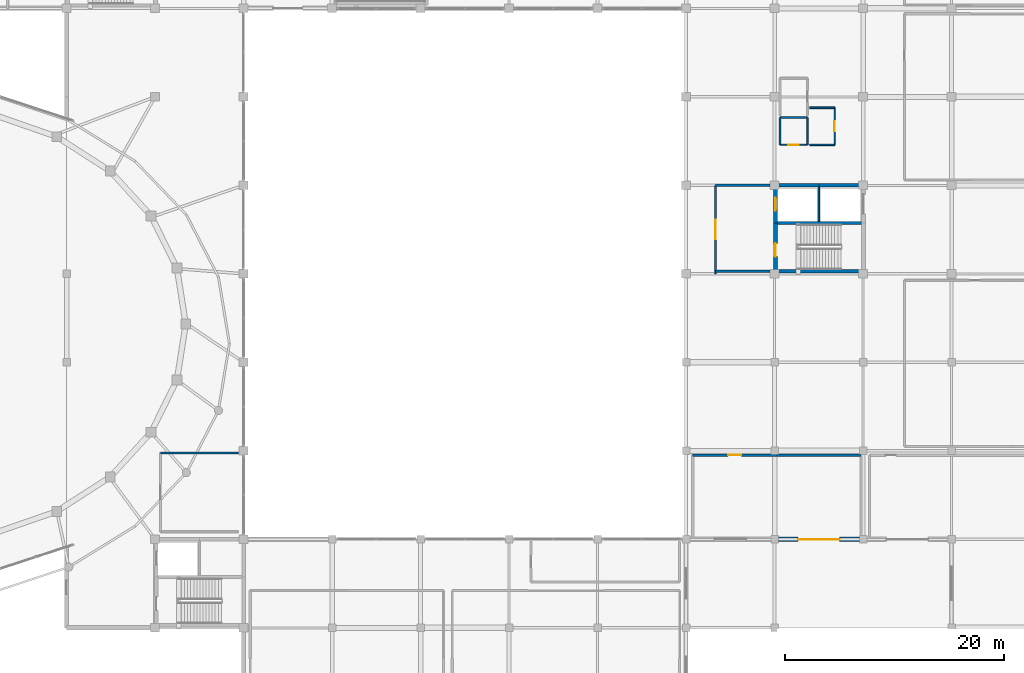
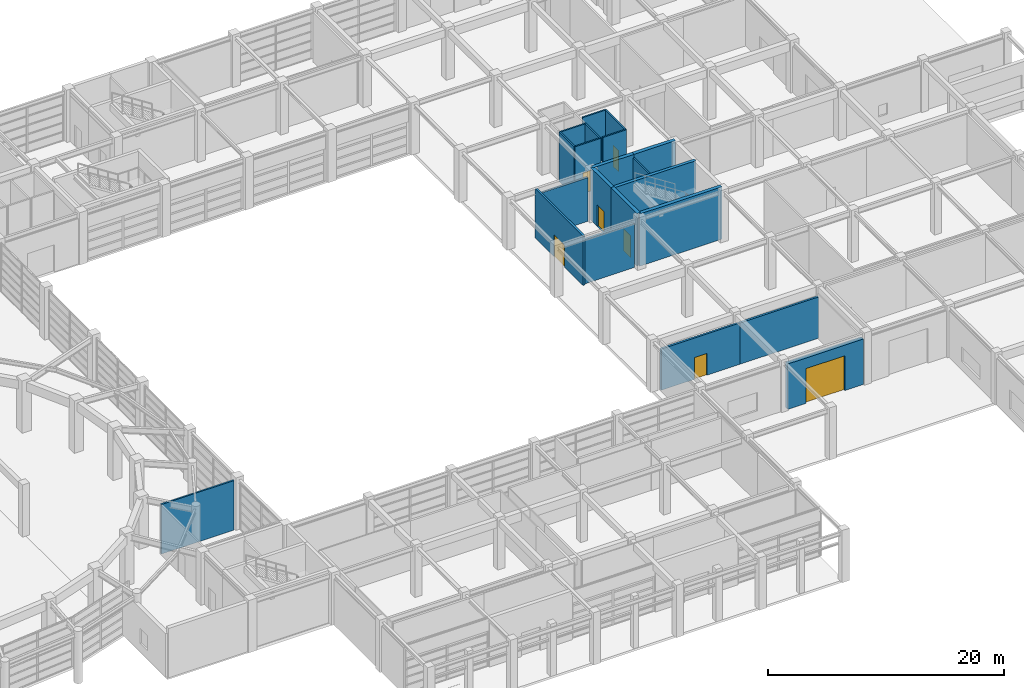
# One storey, part 37 of 52: 21 walls, 7 doors, 7 openings.
"""IFC4 building model written with IfcOpenShell, lengths in metres."""

from ifc_helpers import new_model, si_unit, direction, frame, frame_2d, origin, place, context, subcontext, project, spatial, rectangle, extrude, material, layer, layer_set, type_object, element, fill, save


model = new_model("IFC4")

# Units and contexts
model_context = context("Model", 3, precision=1e-05, world=origin(), true_north=direction((0.0, 1.0)))
body_context = subcontext(model_context, "Body", "Model", "MODEL_VIEW")
ifc_project = project(units=[si_unit("LENGTHUNIT", "METRE"), si_unit("AREAUNIT", "SQUARE_METRE"), si_unit("VOLUMEUNIT", "CUBIC_METRE"), si_unit("PLANEANGLEUNIT", "RADIAN"), si_unit("MASSUNIT", "GRAM", prefix="KILO")], contexts=[model_context])

# Site, building, storey
site_placement = place(None, origin())
site = spatial("IfcSite", under=ifc_project, at=site_placement, CompositionType="ELEMENT")
building_placement = place(site_placement, origin())
building = spatial("IfcBuilding", under=site, at=building_placement, Name="Parian Resonance Hall", CompositionType="ELEMENT")
storey_placement = place(building_placement, origin())
storey = spatial("IfcBuildingStorey", under=building, at=storey_placement, Name="L00", CompositionType="ELEMENT", Elevation=0.0)

# Wall
ifc_material_1 = material(Name="Concrete C40/50", Category="concrete")
ifc_layer_1 = layer(ifc_material_1, 0.31005859375)
ifc_layer_set_1 = layer_set([ifc_layer_1], Name="Concrete C40/50")
wall_type_1 = type_object("IfcWallType", Name="CW310", PredefinedType="SHEAR", material=ifc_layer_set_1)
wall_1_placement = place(storey_placement, frame((121.570068359375, 53.25, 0.0), z_axis=(0.0, 0.0, 1.0), x_axis=(1.0, 0.0, 0.0)))
element("IfcWall", 1, at=wall_1_placement, inside=storey, type_object=wall_type_1, Name="Core K2 stair-lift divider wall L00", PredefinedType="SHEAR", context=body_context, shape_type="SweptSolid", body=[
    extrude(rectangle(XDim=8.059814453125, YDim=0.31005859375, at=frame_2d((4.02978515625, 0.0))), origin(), (0.0, 0.0, 1.0), 5.39990234375),
])

# Wall, opening, door
ifc_material_2 = material(Name="Concrete C40/50", Category="concrete")
ifc_layer_2 = layer(ifc_material_2, 0.35009765625)
ifc_layer_set_2 = layer_set([ifc_layer_2], Name="Concrete C40/50")
wall_type_2 = type_object("IfcWallType", Name="CW350", PredefinedType="SHEAR", material=ifc_layer_set_2)
wall_2_placement = place(storey_placement, frame((121.570068359375, 48.830078125, 0.0), z_axis=(0.0, 0.0, 1.0), x_axis=(0.0, 1.0, 0.0)))
wall_2 = element("IfcWall", 2, at=wall_2_placement, inside=storey, type_object=wall_type_2, Name="Core K2 stairwell west shear wall L00", PredefinedType="SHEAR", context=body_context, shape_type="SweptSolid", body=[
    extrude(rectangle(XDim=4.419921875, YDim=0.35009765625, at=frame_2d((2.2099609375, 0.0))), origin(), (0.0, 0.0, 1.0), 5.39990234375),
])
opening_1_placement = place(wall_2_placement, frame((1.35009765625, 0.0, 0.0)))
opening_1 = element("IfcOpeningElement", 3, at=opening_1_placement, cuts=wall_2, Name="Opening FD-01", PredefinedType="OPENING", context=body_context, shape_type="SweptSolid", body=[
    extrude(rectangle(XDim=1.199951171875, YDim=2.25, at=frame_2d((0.60009765625, 1.125))), frame((0.0, 0.18505859375, 0.0), z_axis=(0.0, -1.0, 0.0), x_axis=(1.0, 0.0, 0.0)), (0.0, 0.0, 1.0), 0.3701171875),
])
ifc_material_3 = material(Name="Fire-rated acoustic steel and narra timber door", Category="steel")
door_type_1 = type_object("IfcDoorType", Name="FD-01", OperationType="NOTDEFINED", PredefinedType="DOOR", material=ifc_material_3)
door_1_placement = place(opening_1_placement, origin())
door_1 = element("IfcDoor", 4, at=door_1_placement, inside=storey, type_object=door_type_1, Name="Exit stair ST-02 fire door L00", OperationType="SINGLE_SWING_LEFT", OverallHeight=2.25, OverallWidth=1.199951171875, PredefinedType="DOOR", context=body_context, shape_type="SweptSolid", body=[
    extrude(rectangle(XDim=1.199951171875, YDim=2.25, at=frame_2d((0.60009765625, 1.125))), frame((0.0, 0.02490234375, 0.0), z_axis=(0.0, -1.0, 0.0), x_axis=(1.0, 0.0, 0.0)), (0.0, 0.0, 1.0), 0.050048828125),
])
fill(opening_1, door_1)

wall_3_placement = place(storey_placement, frame((121.570068359375, 53.25, 0.0), z_axis=(0.0, 0.0, 1.0), x_axis=(0.0, 1.0, 0.0)))
wall_3 = element("IfcWall", 5, at=wall_3_placement, inside=storey, type_object=wall_type_2, Name="Core K2 lift shaft west shear wall L00", PredefinedType="SHEAR", context=body_context, shape_type="SweptSolid", body=[
    extrude(rectangle(XDim=3.449951171875, YDim=0.35009765625, at=frame_2d((1.72509765625, 0.0))), origin(), (0.0, 0.0, 1.0), 5.39990234375),
])
opening_2_placement = place(wall_3_placement, frame((1.125, 0.0, 0.0)))
opening_2 = element("IfcOpeningElement", 6, at=opening_2_placement, cuts=wall_3, Name="Opening LD-01", PredefinedType="OPENING", context=body_context, shape_type="SweptSolid", body=[
    extrude(rectangle(XDim=1.199951171875, YDim=2.199951171875, at=frame_2d((0.60009765625, 1.10009765625))), frame((0.0, 0.18505859375, 0.0), z_axis=(0.0, -1.0, 0.0), x_axis=(1.0, 0.0, 0.0)), (0.0, 0.0, 1.0), 0.3701171875),
])
ifc_material_4 = material(Name="Stainless steel and bronze elevator cab", Category="steel")
door_type_2 = type_object("IfcDoorType", Name="DOOR-LIFT-1200x2200", OperationType="SLIDING_TO_LEFT", PredefinedType="DOOR", material=ifc_material_4)
door_2_placement = place(opening_2_placement, origin())
door_2 = element("IfcDoor", 7, at=door_2_placement, inside=storey, type_object=door_type_2, Name="Lift LF-02 sliding landing door L00", OperationType="SLIDING_TO_LEFT", OverallHeight=2.199951171875, OverallWidth=1.199951171875, PredefinedType="DOOR", context=body_context, shape_type="SweptSolid", body=[
    extrude(rectangle(XDim=1.199951171875, YDim=2.199951171875, at=frame_2d((0.60009765625, 1.10009765625))), frame((0.0, 0.02490234375, 0.0), z_axis=(0.0, -1.0, 0.0), x_axis=(1.0, 0.0, 0.0)), (0.0, 0.0, 1.0), 0.050048828125),
])
fill(opening_2, door_2)

# Walls
wall_4_placement = place(storey_placement, frame((121.570068359375, 56.699951171875, 0.0), z_axis=(0.0, 0.0, 1.0), x_axis=(1.0, 0.0, 0.0)))
element("IfcWall", 8, at=wall_4_placement, inside=storey, type_object=wall_type_2, Name="Core K2 north-west shaft wall L00", PredefinedType="SHEAR", context=body_context, shape_type="SweptSolid", body=[
    extrude(rectangle(XDim=3.97998046875, YDim=0.35009765625, at=frame_2d((1.989990234375, 0.0))), origin(), (0.0, 0.0, 1.0), 5.39990234375),
])
wall_5_placement = place(storey_placement, frame((125.550048828125, 56.699951171875, 0.0), z_axis=(0.0, 0.0, 1.0), x_axis=(1.0, 0.0, 0.0)))
element("IfcWall", 9, at=wall_5_placement, inside=storey, type_object=wall_type_2, Name="Core K2 north-east shaft wall L00", PredefinedType="SHEAR", context=body_context, shape_type="SweptSolid", body=[
    extrude(rectangle(XDim=4.079833984375, YDim=0.35009765625, at=frame_2d((2.0400390625, 0.0))), origin(), (0.0, 0.0, 1.0), 5.39990234375),
])
wall_6_placement = place(storey_placement, frame((129.6298828125, 48.830078125, 0.0), z_axis=(0.0, 0.0, 1.0), x_axis=(-1.0, 0.0, 0.0)))
element("IfcWall", 10, at=wall_6_placement, inside=storey, type_object=wall_type_2, Name="Core K2 stairwell south wall L00", PredefinedType="SHEAR", context=body_context, shape_type="SweptSolid", body=[
    extrude(rectangle(XDim=8.059814453125, YDim=0.35009765625, at=frame_2d((4.02978515625, 0.0))), origin(), (0.0, 0.0, 1.0), 5.39990234375),
])

# Wall, opening, door
ifc_material_5 = material(Name="Concrete C35/45 with Carcar coral-limestone ashlar", Category="masonry")
ifc_layer_3 = layer(ifc_material_5, 0.39990234375)
ifc_layer_set_3 = layer_set([ifc_layer_3], Name="Concrete C35/45 with Carcar coral-limestone ashlar")
wall_type_3 = type_object("IfcWallType", Name="EW-PLINTH-400", PredefinedType="SOLIDWALL", material=ifc_layer_set_3)
wall_7_placement = place(storey_placement, frame((129.25, 24.300048828125, 0.0), z_axis=(0.0, 0.0, 1.0), x_axis=(-1.0, 0.0, 0.0)))
wall_7 = element("IfcWall", 11, at=wall_7_placement, inside=storey, type_object=wall_type_3, Name="Exterior wall EW-L00-0154", PredefinedType="SOLIDWALL", context=body_context, shape_type="SweptSolid", body=[
    extrude(rectangle(XDim=7.39990234375, YDim=0.39990234375, at=frame_2d((3.699951171875, 0.0))), origin(), (0.0, 0.0, 1.0), 4.695068359375),
])
opening_3_placement = place(wall_7_placement, frame((1.800048828125, 0.0, 0.0)))
opening_3 = element("IfcOpeningElement", 12, at=opening_3_placement, cuts=wall_7, Name="Opening DG-01", PredefinedType="OPENING", context=body_context, shape_type="SweptSolid", body=[
    extrude(rectangle(XDim=3.800048828125, YDim=3.60009765625, at=frame_2d((1.89990234375, 1.800048828125))), frame((0.0, 0.2099609375, 0.0), z_axis=(0.0, -1.0, 0.0), x_axis=(1.0, 0.0, 0.0)), (0.0, 0.0, 1.0), 0.419921875),
])
ifc_material_6 = material(Name="Galvanised steel acoustic roller shutter", Category="steel")
door_type_3 = type_object("IfcDoorType", Name="GATE-DOCK-3800x3600", OperationType="NOTDEFINED", PredefinedType="GATE", material=ifc_material_6)
door_3_placement = place(opening_3_placement, origin())
door_3 = element("IfcDoor", 13, at=door_3_placement, inside=storey, type_object=door_type_3, Name="Acoustic truck loading dock shutter DG-1", OperationType="SINGLE_SWING_LEFT", OverallHeight=3.60009765625, OverallWidth=3.800048828125, PredefinedType="GATE", context=body_context, shape_type="SweptSolid", body=[
    extrude(rectangle(XDim=3.800048828125, YDim=3.60009765625, at=frame_2d((1.89990234375, 1.800048828125))), frame((0.0, 0.02490234375, 0.0), z_axis=(0.0, -1.0, 0.0), x_axis=(1.0, 0.0, 0.0)), (0.0, 0.0, 1.0), 0.050048828125),
])
fill(opening_3, door_3)

ifc_material_7 = material(Name="Concrete C35/45 fire barrier", Category="concrete")
ifc_layer_4 = layer(ifc_material_7, 0.199951171875)
ifc_layer_set_4 = layer_set([ifc_layer_4], Name="Concrete C35/45 fire barrier")
wall_type_4 = type_object("IfcWallType", Name="FW200", PredefinedType="PARTITIONING", material=ifc_layer_set_4)
wall_8_placement = place(storey_placement, frame((116.10009765625, 48.60009765625, 0.0), z_axis=(0.0, 0.0, 1.0), x_axis=(0.0, 1.0, 0.0)))
wall_8 = element("IfcWall", 14, at=wall_8_placement, inside=storey, type_object=wall_type_4, Name="Firefighting lift lobby K2 west fire barrier L00", PredefinedType="PARTITIONING", context=body_context, shape_type="SweptSolid", body=[
    extrude(rectangle(XDim=8.099853515625, YDim=0.199951171875, at=frame_2d((4.0498046875, 0.0))), origin(), (0.0, 0.0, 1.0), 5.10009765625),
])
opening_4_placement = place(wall_8_placement, frame((3.14990234375, 0.0, 0.0)))
opening_4 = element("IfcOpeningElement", 15, at=opening_4_placement, cuts=wall_8, Name="Opening FD-02", PredefinedType="OPENING", context=body_context, shape_type="SweptSolid", body=[
    extrude(rectangle(XDim=1.800048828125, YDim=2.25, at=frame_2d((0.89990234375, 1.125))), frame((0.0, 0.10986328125, 0.0), z_axis=(0.0, -1.0, 0.0), x_axis=(1.0, 0.0, 0.0)), (0.0, 0.0, 1.0), 0.219970703125),
])
ifc_material_8 = material(Name="Fire-rated acoustic steel and narra timber door", Category="steel")
door_type_4 = type_object("IfcDoorType", Name="FD-02", OperationType="NOTDEFINED", PredefinedType="DOOR", material=ifc_material_8)
door_4_placement = place(opening_4_placement, origin())
door_4 = element("IfcDoor", 16, at=door_4_placement, inside=storey, type_object=door_type_4, Name="Firefighting lift lobby K2 smoke-seal fire door L00", OperationType="DOUBLE_DOOR_SINGLE_SWING", OverallHeight=2.25, OverallWidth=1.800048828125, PredefinedType="DOOR", context=body_context, shape_type="SweptSolid", body=[
    extrude(rectangle(XDim=1.800048828125, YDim=2.25, at=frame_2d((0.89990234375, 1.125))), frame((0.0, 0.02490234375, 0.0), z_axis=(0.0, -1.0, 0.0), x_axis=(1.0, 0.0, 0.0)), (0.0, 0.0, 1.0), 0.050048828125),
])
fill(opening_4, door_4)

# Walls
wall_9_placement = place(storey_placement, frame((116.10009765625, 56.699951171875, 0.0), z_axis=(0.0, 0.0, 1.0), x_axis=(1.0, 0.0, 0.0)))
element("IfcWall", 17, at=wall_9_placement, inside=storey, type_object=wall_type_4, Name="Firefighting lift lobby K2 N fire barrier L00", PredefinedType="PARTITIONING", context=body_context, shape_type="SweptSolid", body=[
    extrude(rectangle(XDim=5.0, YDim=0.199951171875, at=frame_2d((2.5, 0.0))), origin(), (0.0, 0.0, 1.0), 4.51611328125),
])
wall_10_placement = place(storey_placement, frame((121.10009765625, 48.830078125, 0.0), z_axis=(0.0, 0.0, 1.0), x_axis=(-1.0, 0.0, 0.0)))
element("IfcWall", 18, at=wall_10_placement, inside=storey, type_object=wall_type_4, Name="Firefighting lift lobby K2 S fire barrier L00", PredefinedType="PARTITIONING", context=body_context, shape_type="SweptSolid", body=[
    extrude(rectangle(XDim=5.0, YDim=0.199951171875, at=frame_2d((2.5, 0.0))), origin(), (0.0, 0.0, 1.0), 4.580078125),
])

# Wall, opening, door
wall_11_placement = place(storey_placement, frame((114.0, 32.0, 0.0), z_axis=(0.0, 0.0, 1.0), x_axis=(1.0, 0.0, 0.0)))
wall_11 = element("IfcWall", 19, at=wall_11_placement, inside=storey, type_object=wall_type_4, Name="Interior acoustic partition IW-L00-0090", PredefinedType="PARTITIONING", context=body_context, shape_type="SweptSolid", body=[
    extrude(rectangle(XDim=7.699951171875, YDim=0.199951171875, at=frame_2d((3.85009765625, 0.0))), origin(), (0.0, 0.0, 1.0), 4.263916015625),
])
opening_5_placement = place(wall_11_placement, frame((3.25, 0.0, 0.0)))
opening_5 = element("IfcOpeningElement", 20, at=opening_5_placement, cuts=wall_11, Name="Opening FD-01", PredefinedType="OPENING", context=body_context, shape_type="SweptSolid", body=[
    extrude(rectangle(XDim=1.199951171875, YDim=2.25, at=frame_2d((0.60009765625, 1.125))), frame((0.0, 0.10986328125, 0.0), z_axis=(0.0, -1.0, 0.0), x_axis=(1.0, 0.0, 0.0)), (0.0, 0.0, 1.0), 0.219970703125),
])
door_5_placement = place(opening_5_placement, origin())
door_5 = element("IfcDoor", 21, at=door_5_placement, inside=storey, type_object=door_type_1, Name="Backstage Scenery and Risers Store door", OperationType="SINGLE_SWING_RIGHT", OverallHeight=2.25, OverallWidth=1.199951171875, PredefinedType="DOOR", context=body_context, shape_type="SweptSolid", body=[
    extrude(rectangle(XDim=1.199951171875, YDim=2.25, at=frame_2d((0.60009765625, 1.125))), frame((0.0, 0.02490234375, 0.0), z_axis=(0.0, -1.0, 0.0), x_axis=(1.0, 0.0, 0.0)), (0.0, 0.0, 1.0), 0.050048828125),
])
fill(opening_5, door_5)

# Walls
wall_12_placement = place(storey_placement, frame((121.699951171875, 32.0, 0.0), z_axis=(0.0, 0.0, 1.0), x_axis=(1.0, 0.0, 0.0)))
element("IfcWall", 22, at=wall_12_placement, inside=storey, type_object=wall_type_4, Name="Interior acoustic partition IW-L00-0091", PredefinedType="PARTITIONING", context=body_context, shape_type="SweptSolid", body=[
    extrude(rectangle(XDim=7.699951171875, YDim=0.199951171875, at=frame_2d((3.85009765625, 0.0))), origin(), (0.0, 0.0, 1.0), 4.263916015625),
])
ifc_material_9 = material(Name="Concrete C35/45 acoustic plumbing chase wall", Category="concrete")
ifc_layer_5 = layer(ifc_material_9, 0.14990234375)
ifc_layer_set_5 = layer_set([ifc_layer_5], Name="Concrete C35/45 acoustic plumbing chase wall")
wall_type_5 = type_object("IfcWallType", Name="PW150", PredefinedType="PLUMBINGWALL", material=ifc_layer_set_5)
wall_13_placement = place(storey_placement, frame((125.550048828125, 53.409912109375, 0.0), z_axis=(0.0, 0.0, 1.0), x_axis=(0.0, 1.0, 0.0)))
element("IfcWall", 23, at=wall_13_placement, inside=storey, type_object=wall_type_5, Name="Core K2 shaft plumbing/riser divider L00", PredefinedType="PLUMBINGWALL", context=body_context, shape_type="SweptSolid", body=[
    extrude(rectangle(XDim=3.130126953125, YDim=0.14990234375, at=frame_2d((1.56494140625, 0.0))), origin(), (0.0, 0.0, 1.0), 5.050048828125),
])
wall_14_placement = place(storey_placement, frame((124.5, 62.89990234375, 0.0), z_axis=(0.0, 0.0, 1.0), x_axis=(0.0, -1.0, 0.0)))
element("IfcWall", 24, at=wall_14_placement, inside=storey, type_object=wall_type_5, Name="Interior acoustic partition IW-L00-0032", PredefinedType="PLUMBINGWALL", context=body_context, shape_type="SweptSolid", body=[
    extrude(rectangle(XDim=2.5, YDim=0.14990234375, at=frame_2d((1.25, 0.0))), origin(), (0.0, 0.0, 1.0), 5.1201171875),
])

# Wall, opening, door
wall_15_placement = place(storey_placement, frame((124.5, 60.39990234375, 0.0), z_axis=(0.0, 0.0, 1.0), x_axis=(-1.0, 0.0, 0.0)))
wall_15 = element("IfcWall", 25, at=wall_15_placement, inside=storey, type_object=wall_type_5, Name="Interior acoustic partition IW-L00-0033", PredefinedType="PLUMBINGWALL", context=body_context, shape_type="SweptSolid", body=[
    extrude(rectangle(XDim=2.5, YDim=0.14990234375, at=frame_2d((1.25, 0.0))), origin(), (0.0, 0.0, 1.0), 5.1201171875),
])
opening_6_placement = place(wall_15_placement, frame((0.77001953125, 0.0, 0.0)))
opening_6 = element("IfcOpeningElement", 26, at=opening_6_placement, cuts=wall_15, Name="Opening ID-21", PredefinedType="OPENING", context=body_context, shape_type="SweptSolid", body=[
    extrude(rectangle(XDim=0.9599609375, YDim=2.159912109375, at=frame_2d((0.47998046875, 1.080078125))), frame((0.0, 0.0849609375, 0.0), z_axis=(0.0, -1.0, 0.0), x_axis=(1.0, 0.0, 0.0)), (0.0, 0.0, 1.0), 0.169921875),
])
ifc_material_10 = material(Name="Philippine narra acoustic timber door", Category="wood")
door_type_5 = type_object("IfcDoorType", Name="ID-AWC-0960x2160", OperationType="NOTDEFINED", PredefinedType="DOOR", material=ifc_material_10)
door_6_placement = place(opening_6_placement, origin())
door_6 = element("IfcDoor", 27, at=door_6_placement, inside=storey, type_object=door_type_5, Name="Accessible WC W2 door", OperationType="SINGLE_SWING_RIGHT", OverallHeight=2.159912109375, OverallWidth=0.9599609375, PredefinedType="DOOR", context=body_context, shape_type="SweptSolid", body=[
    extrude(rectangle(XDim=0.9599609375, YDim=2.159912109375, at=frame_2d((0.47998046875, 1.080078125))), frame((0.0, 0.02490234375, 0.0), z_axis=(0.0, -1.0, 0.0), x_axis=(1.0, 0.0, 0.0)), (0.0, 0.0, 1.0), 0.050048828125),
])
fill(opening_6, door_6)

# Walls
for number, where, z_axis, x_axis, name in (
    (28, (122.0, 60.39990234375, 0.0), (0.0, 0.0, 1.0), (0.0, 1.0, 0.0), "Interior acoustic partition IW-L00-0034"),
    (29, (122.0, 62.89990234375, 0.0), (0.0, 0.0, 1.0), (1.0, 0.0, 0.0), "Interior acoustic partition IW-L00-0035"),
):
    element("IfcWall", number, at=place(storey_placement, frame(where, z_axis=z_axis, x_axis=x_axis)), inside=storey, type_object=wall_type_5, Name=name, PredefinedType="PLUMBINGWALL", context=body_context, shape_type="SweptSolid", body=[
        extrude(rectangle(XDim=2.5, YDim=0.14990234375, at=frame_2d((1.25, 0.0))), origin(), (0.0, 0.0, 1.0), 5.1201171875),
    ])

# Wall, opening, door
wall_16_placement = place(storey_placement, frame((127.0, 63.800048828125, 0.0), z_axis=(0.0, 0.0, 1.0), x_axis=(0.0, -1.0, 0.0)))
wall_16 = element("IfcWall", 30, at=wall_16_placement, inside=storey, type_object=wall_type_5, Name="Interior acoustic partition IW-L00-0036", PredefinedType="PLUMBINGWALL", context=body_context, shape_type="SweptSolid", body=[
    extrude(rectangle(XDim=3.400146484375, YDim=0.14990234375, at=frame_2d((1.7001953125, 0.0))), origin(), (0.0, 0.0, 1.0), 5.1201171875),
])
opening_7_placement = place(wall_16_placement, frame((1.25, 0.0, 0.0)))
opening_7 = element("IfcOpeningElement", 31, at=opening_7_placement, cuts=wall_16, Name="Opening ID-23", PredefinedType="OPENING", context=body_context, shape_type="SweptSolid", body=[
    extrude(rectangle(XDim=0.89990234375, YDim=2.199951171875, at=frame_2d((0.449951171875, 1.10009765625))), frame((0.0, 0.0849609375, 0.0), z_axis=(0.0, -1.0, 0.0), x_axis=(1.0, 0.0, 0.0)), (0.0, 0.0, 1.0), 0.169921875),
])
ifc_material_11 = material(Name="Philippine narra acoustic timber door", Category="wood")
door_type_6 = type_object("IfcDoorType", Name="ID-WC-0900x2200", OperationType="NOTDEFINED", PredefinedType="DOOR", material=ifc_material_11)
door_7_placement = place(opening_7_placement, origin())
door_7 = element("IfcDoor", 32, at=door_7_placement, inside=storey, type_object=door_type_6, Name="Female Restroom W2 door", OperationType="SINGLE_SWING_LEFT", OverallHeight=2.199951171875, OverallWidth=0.89990234375, PredefinedType="DOOR", context=body_context, shape_type="SweptSolid", body=[
    extrude(rectangle(XDim=0.89990234375, YDim=2.199951171875, at=frame_2d((0.449951171875, 1.10009765625))), frame((0.0, 0.02490234375, 0.0), z_axis=(0.0, -1.0, 0.0), x_axis=(1.0, 0.0, 0.0)), (0.0, 0.0, 1.0), 0.050048828125),
])
fill(opening_7, door_7)

# Walls
for number, where, z_axis, x_axis, name in (
    (33, (127.0, 60.39990234375, 0.0), (0.0, 0.0, 1.0), (-1.0, 0.0, 0.0), "Interior acoustic partition IW-L00-0037"),
    (34, (124.699951171875, 63.800048828125, 0.0), (0.0, 0.0, 1.0), (1.0, 0.0, 0.0), "Interior acoustic partition IW-L00-0038"),
):
    element("IfcWall", number, at=place(storey_placement, frame(where, z_axis=z_axis, x_axis=x_axis)), inside=storey, type_object=wall_type_5, Name=name, PredefinedType="PLUMBINGWALL", context=body_context, shape_type="SweptSolid", body=[
        extrude(rectangle(XDim=2.300048828125, YDim=0.14990234375, at=frame_2d((1.14990234375, 0.0))), origin(), (0.0, 0.0, 1.0), 5.1201171875),
    ])
ifc_material_12 = material(Name="Concrete C35/45 acoustic masonry partition", Category="masonry")
ifc_layer_6 = layer(ifc_material_12, 0.159912109375)
ifc_layer_set_6 = layer_set([ifc_layer_6], Name="Concrete C35/45 acoustic masonry partition")
wall_type_6 = type_object("IfcWallType", Name="PW160", PredefinedType="PARTITIONING", material=ifc_layer_set_6)
wall_17_placement = place(storey_placement, frame((65.300048828125, 32.199951171875, 0.0), z_axis=(0.0, 0.0, 1.0), x_axis=(1.0, 0.0, 0.0)))
element("IfcWall", 35, at=wall_17_placement, inside=storey, type_object=wall_type_6, Name="Interior acoustic partition IW-L00-0044", PredefinedType="PARTITIONING", context=body_context, shape_type="SweptSolid", body=[
    extrude(rectangle(XDim=7.099853515625, YDim=0.159912109375, at=frame_2d((3.5498046875, 0.0))), origin(), (0.0, 0.0, 1.0), 5.1201171875),
])

save(model, "model.ifc")
